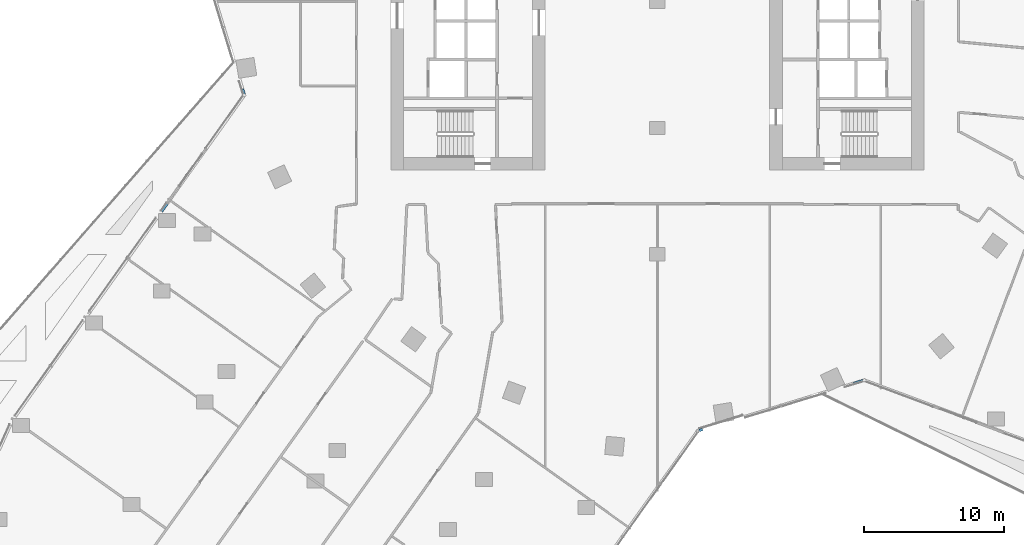
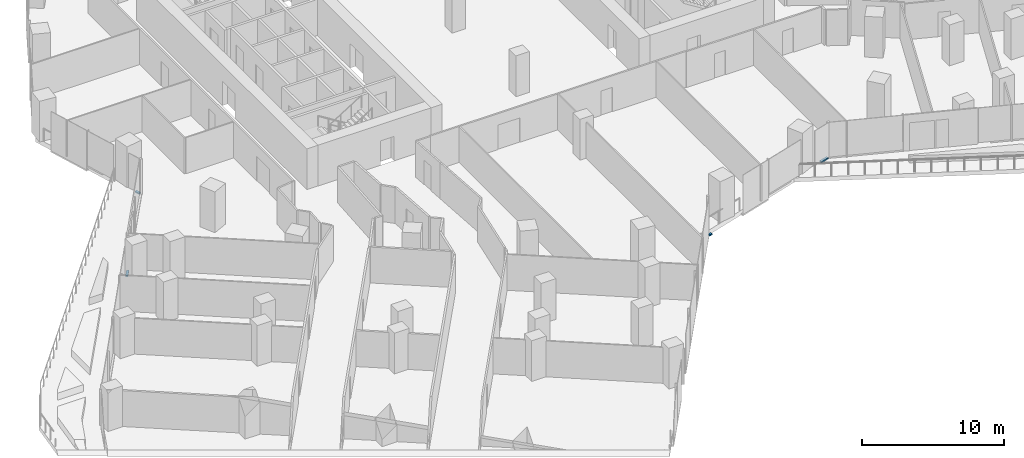
# One storey, part 14 of 30: 4 members, 3 elements without a shape of their own.
"""IFC4 building model written with IfcOpenShell, lengths in metres."""

from ifc_helpers import new_model, si_unit, direction, frame, origin, origin_2d, place, context, subcontext, project, spatial, rectangle, extrude, material, material_profile, profile_set, type_object, element, aggregate, save


model = new_model("IFC4")

# Units and contexts
model_context = context("Model", 3, precision=1e-05, world=origin(), true_north=direction((0.0, 1.0)))
body_context = subcontext(model_context, "Body", "Model", "MODEL_VIEW")
ifc_project = project(units=[si_unit("LENGTHUNIT", "METRE"), si_unit("AREAUNIT", "SQUARE_METRE"), si_unit("VOLUMEUNIT", "CUBIC_METRE"), si_unit("PLANEANGLEUNIT", "RADIAN"), si_unit("MASSUNIT", "GRAM", prefix="KILO")], contexts=[model_context])

# Site, building, storey
site_placement = place(None, origin())
site = spatial("IfcSite", under=ifc_project, at=site_placement, CompositionType="ELEMENT")
building_placement = place(site_placement, origin())
building = spatial("IfcBuilding", under=site, at=building_placement, Name="Orlundy Tower", CompositionType="ELEMENT")
storey_placement = place(building_placement, frame((0.0, 0.0, 80.699951171875)))
storey = spatial("IfcBuildingStorey", under=building, at=storey_placement, Name="L19", CompositionType="ELEMENT", Elevation=80.699951171875)

# Curtain wall, member
ifc_material_1 = material(Name="Aluminium bronze anodised", Category="aluminium")
curtain_wall_type = type_object("IfcCurtainWallType", Name="CW1 wall", PredefinedType="NOTDEFINED", material=ifc_material_1)
curtain_wall_1_placement = place(storey_placement, origin())
curtain_wall_1 = element("IfcCurtainWall", 1, at=curtain_wall_1_placement, inside=storey, type_object=curtain_wall_type, Name="CW1 run 00", PredefinedType="NOTDEFINED")
ifc_material_2 = material(Name="Aluminium bronze anodised", Category="aluminium")
ifc_material_profile = material_profile(ifc_material_2, rectangle(XDim=0.179931640625, YDim=0.1201171875, at=origin_2d()), Name="CW1 transom 180x120")
ifc_profile_set = profile_set([ifc_material_profile], Name="Aluminium bronze anodised")
member_type = type_object("IfcMemberType", Name="CW1 transom 180x120", PredefinedType="USERDEFINED", material=ifc_profile_set)
member_1_placement = place(storey_placement, frame((-35.340576171875, -14.949951171875, 0.06005859375), z_axis=(0.580870035091, 0.813996315922, 0.0), x_axis=(-0.813996315922, 0.580870035091, 0.0)))
member_1 = element("IfcMember", 2, at=member_1_placement, type_object=member_type, Name="CW1 transom", ObjectType="TRANSOM", PredefinedType="USERDEFINED", context=body_context, shape_type="SweptSolid", body=[
    extrude(rectangle(XDim=0.179931640625, YDim=0.1201171875, at=origin_2d()), origin(), (0.0, 0.0, 1.0), 0.690185546875),
])
aggregate(curtain_wall_1, [member_1])

curtain_wall_2_placement = place(storey_placement, origin())
curtain_wall_2 = element("IfcCurtainWall", 3, at=curtain_wall_2_placement, inside=storey, type_object=curtain_wall_type, Name="CW1 run 01", PredefinedType="NOTDEFINED")
member_2_placement = place(storey_placement, frame((-29.454345703125, -6.57470703125, 0.06005859375), z_axis=(-0.292434116891, 0.956285672421, 0.0), x_axis=(-0.956285672421, -0.292434116891, 0.0)))
member_2 = element("IfcMember", 4, at=member_2_placement, type_object=member_type, Name="CW1 transom", ObjectType="TRANSOM", PredefinedType="USERDEFINED", context=body_context, shape_type="SweptSolid", body=[
    extrude(rectangle(XDim=0.179931640625, YDim=0.1201171875, at=origin_2d()), origin(), (0.0, 0.0, 1.0), 0.3740234375),
])
aggregate(curtain_wall_2, [member_2])

# Curtain wall, members
curtain_wall_3_placement = place(storey_placement, origin())
curtain_wall_3 = element("IfcCurtainWall", 5, at=curtain_wall_3_placement, inside=storey, type_object=curtain_wall_type, Name="CW1 run 017", PredefinedType="NOTDEFINED")
member_3_placement = place(storey_placement, frame((14.653076171875, -26.9853515625, 0.06005859375), z_axis=(-0.956340779763, -0.292253850211, 0.0), x_axis=(0.292253850211, -0.956340779763, 0.0)))
member_3 = element("IfcMember", 6, at=member_3_placement, type_object=member_type, Name="CW1 transom", ObjectType="TRANSOM", PredefinedType="USERDEFINED", context=body_context, shape_type="SweptSolid", body=[
    extrude(rectangle(XDim=0.179931640625, YDim=0.1201171875, at=origin_2d()), origin(), (0.0, 0.0, 1.0), 0.70263671875),
])
member_4_placement = place(storey_placement, frame((3.2109375, -30.48291015625, -0.33984375), z_axis=(-0.956535727111, -0.291615162089, 0.0), x_axis=(0.291615162089, -0.956535727111, 0.0)))
member_4 = element("IfcMember", 7, at=member_4_placement, type_object=member_type, Name="CW1 transom", ObjectType="TRANSOM", PredefinedType="USERDEFINED", context=body_context, shape_type="SweptSolid", body=[
    extrude(rectangle(XDim=0.179931640625, YDim=0.1201171875, at=origin_2d()), origin(), (0.0, 0.0, 1.0), 0.257080078125),
])
aggregate(curtain_wall_3, [member_3, member_4])

save(model, "model.ifc")
